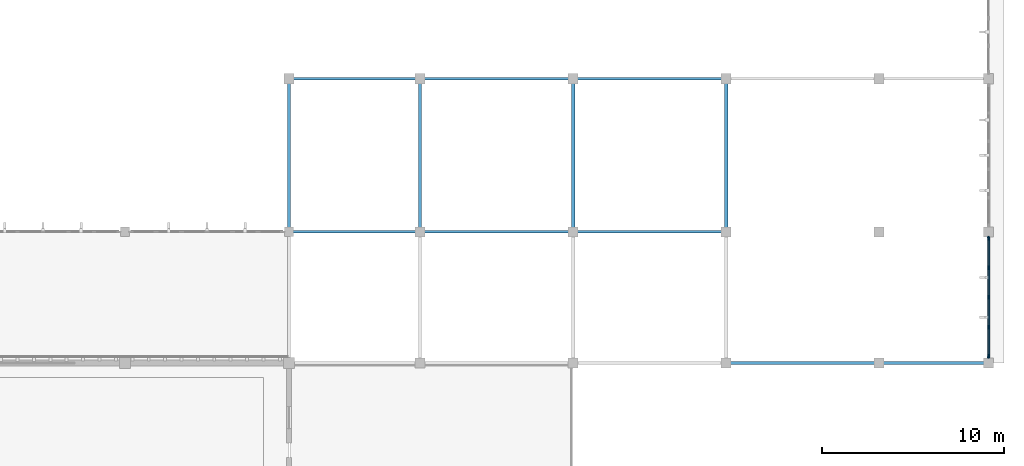
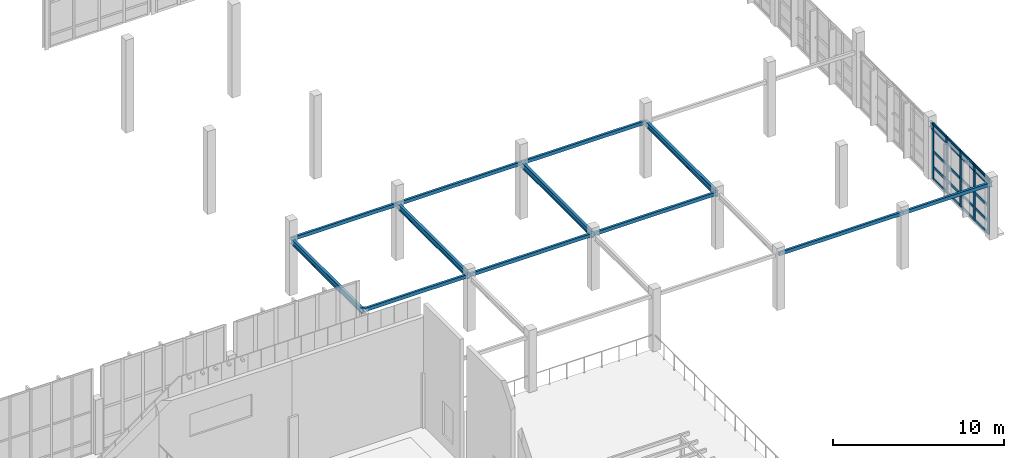
# One storey, part 28 of 67: 21 members, 13 beams, 1 element without a shape of its own.
"""IFC4 building model written with IfcOpenShell, lengths in metres."""

from ifc_helpers import new_model, si_unit, direction, frame, origin, origin_2d, place, context, subcontext, project, spatial, rectangle, hollow_rectangle, i_section, extrude, material, material_profile, profile_set, type_object, element, aggregate, save


model = new_model("IFC4")

# Units and contexts
model_context = context("Model", 3, precision=1e-05, world=origin(), true_north=direction((0.0, 1.0)))
body_context = subcontext(model_context, "Body", "Model", "MODEL_VIEW")
ifc_project = project(units=[si_unit("LENGTHUNIT", "METRE"), si_unit("AREAUNIT", "SQUARE_METRE"), si_unit("VOLUMEUNIT", "CUBIC_METRE"), si_unit("PLANEANGLEUNIT", "RADIAN"), si_unit("MASSUNIT", "GRAM", prefix="KILO")], contexts=[model_context])

# Site, building, storey
site_placement = place(None, origin())
site = spatial("IfcSite", under=ifc_project, at=site_placement, CompositionType="ELEMENT")
building_placement = place(site_placement, origin())
building = spatial("IfcBuilding", under=site, at=building_placement, Name="Tizgana Railside Sports Hall", CompositionType="ELEMENT")
storey_placement = place(building_placement, frame((0.0, 0.0, 12.0)))
storey = spatial("IfcBuildingStorey", under=building, at=storey_placement, Name="L02", CompositionType="ELEMENT", Elevation=12.0)

# Curtain wall, members
ifc_material_1 = material(Name="Anodised aluminium and glass", Category="aluminium")
curtain_wall_type = type_object("IfcCurtainWallType", Name="Unitised Curtain Wall Studio 1400", PredefinedType="NOTDEFINED", material=ifc_material_1)
curtain_wall_placement = place(storey_placement, origin())
curtain_wall = element("IfcCurtainWall", 1, at=curtain_wall_placement, inside=storey, type_object=curtain_wall_type, Name="L02 Curtain Wall CW-0058", PredefinedType="NOTDEFINED")
ifc_material_2 = material(Name="Anodised aluminium", Category="aluminium")
ifc_material_profile_1 = material_profile(ifc_material_2, rectangle(XDim=0.070068359375, YDim=0.219970703125, at=origin_2d()), Name="Mullion 70x220")
ifc_profile_set_1 = profile_set([ifc_material_profile_1], Name="Anodised aluminium")
member_type_1 = type_object("IfcMemberType", Name="Mullion 70x220", PredefinedType="MULLION", material=ifc_profile_set_1)
member_1_placement = place(storey_placement, frame((172.199951171875, 73.56494140625, 0.0), z_axis=(0.0, 0.0, 1.0), x_axis=(-1.0, 0.0, 0.0)))
member_1 = element("IfcMember", 2, at=member_1_placement, type_object=member_type_1, Name="CW-03 mullion 1", PredefinedType="MULLION", context=body_context, shape_type="SweptSolid", body=[
    extrude(rectangle(XDim=0.070068359375, YDim=0.219970703125, at=origin_2d()), origin(), (0.0, 0.0, 1.0), 4.0),
])
member_2_placement = place(storey_placement, frame((172.199951171875, 75.1650390625, 0.0), z_axis=(0.0, 0.0, 1.0), x_axis=(-1.0, 0.0, 0.0)))
member_2 = element("IfcMember", 3, at=member_2_placement, type_object=member_type_1, Name="CW-03 mullion 2", PredefinedType="MULLION", context=body_context, shape_type="SweptSolid", body=[
    extrude(rectangle(XDim=0.070068359375, YDim=0.219970703125, at=origin_2d()), origin(), (0.0, 0.0, 1.0), 4.0),
])
member_3_placement = place(storey_placement, frame((172.199951171875, 76.800048828125, 0.0), z_axis=(0.0, 0.0, 1.0), x_axis=(-1.0, 0.0, 0.0)))
member_3 = element("IfcMember", 4, at=member_3_placement, type_object=member_type_1, Name="CW-03 mullion 3", PredefinedType="MULLION", context=body_context, shape_type="SweptSolid", body=[
    extrude(rectangle(XDim=0.070068359375, YDim=0.219970703125, at=origin_2d()), origin(), (0.0, 0.0, 1.0), 4.0),
])
member_4_placement = place(storey_placement, frame((172.199951171875, 78.43505859375, 0.0), z_axis=(0.0, 0.0, 1.0), x_axis=(-1.0, 0.0, 0.0)))
member_4 = element("IfcMember", 5, at=member_4_placement, type_object=member_type_1, Name="CW-03 mullion 4", PredefinedType="MULLION", context=body_context, shape_type="SweptSolid", body=[
    extrude(rectangle(XDim=0.070068359375, YDim=0.219970703125, at=origin_2d()), origin(), (0.0, 0.0, 1.0), 4.0),
])
member_5_placement = place(storey_placement, frame((172.199951171875, 80.034912109375, 0.0), z_axis=(0.0, 0.0, 1.0), x_axis=(-1.0, 0.0, 0.0)))
member_5 = element("IfcMember", 6, at=member_5_placement, type_object=member_type_1, Name="CW-03 mullion 5", PredefinedType="MULLION", context=body_context, shape_type="SweptSolid", body=[
    extrude(rectangle(XDim=0.070068359375, YDim=0.219970703125, at=origin_2d()), origin(), (0.0, 0.0, 1.0), 4.0),
])

# Beams
ifc_material_3 = material(Name="Steel S355J2", Category="steel")
ifc_material_profile_2 = material_profile(ifc_material_3, i_section(OverallWidth=0.179931640625, OverallDepth=0.39990234375, WebThickness=0.008544921875, FlangeThickness=0.013427734375, FilletRadius=0.02099609375, at=origin_2d()), Name="IPE 400")
ifc_profile_set_2 = profile_set([ifc_material_profile_2], Name="Steel S355J2")
beam_type_1 = type_object("IfcBeamType", Name="Steel Beam IPE 400", PredefinedType="BEAM", material=ifc_profile_set_2)
for number, where, z_axis, x_axis, name in (
    (7, (133.800048828125, 80.39990234375, 3.756103515625), (0.0, 1.0, 0.0), (-1.0, 0.0, 0.0), "L02 BEM-1156"),
    (8, (141.0, 80.39990234375, 3.756103515625), (0.0, 1.0, 0.0), (-1.0, 0.0, 0.0), "L02 BEM-1160"),
    (9, (149.39990234375, 80.39990234375, 3.756103515625), (0.0, 1.0, 0.0), (-1.0, 0.0, 0.0), "L02 BEM-1164"),
    (10, (157.800048828125, 80.39990234375, 3.756103515625), (0.0, 1.0, 0.0), (-1.0, 0.0, 0.0), "L02 BEM-1168"),
):
    element("IfcBeam", number, at=place(storey_placement, frame(where, z_axis=z_axis, x_axis=x_axis)), inside=storey, type_object=beam_type_1, Name=name, PredefinedType="BEAM", context=body_context, shape_type="SweptSolid", body=[
        extrude(i_section(OverallWidth=0.179931640625, OverallDepth=0.39990234375, WebThickness=0.008544921875, FlangeThickness=0.013427734375, FilletRadius=0.02099609375, at=origin_2d()), origin(), (0.0, 0.0, 1.0), 8.400146484375),
    ])
beam_1_placement = place(storey_placement, frame((172.199951171875, 73.199951171875, 3.756103515625), z_axis=(0.0, 1.0, 0.0), x_axis=(-1.0, 0.0, 0.0)))
element("IfcBeam", 11, at=beam_1_placement, inside=storey, type_object=beam_type_1, Name="L02 BEM-1170", PredefinedType="BEAM", context=body_context, shape_type="SweptSolid", body=[
    extrude(i_section(OverallWidth=0.179931640625, OverallDepth=0.39990234375, WebThickness=0.008544921875, FlangeThickness=0.013427734375, FilletRadius=0.02099609375, at=origin_2d()), origin(), (0.0, 0.0, 1.0), 7.199951171875),
])
ifc_material_profile_3 = material_profile(ifc_material_3, hollow_rectangle(XDim=0.14990234375, YDim=0.25, WallThickness=0.010009765625, at=origin_2d()), Name="RHS 250x150x10")
ifc_profile_set_3 = profile_set([ifc_material_profile_3], Name="Steel S355J2")
beam_type_2 = type_object("IfcBeamType", Name="Steel Spandrel RHS 250x150x10", PredefinedType="SPANDREL", material=ifc_profile_set_3)
for number, where, z_axis, x_axis, name in (
    (12, (133.800048828125, 80.39990234375, 3.8310546875), (1.0, 0.0, 0.0), (0.0, 1.0, 0.0), "L02 BEM-1176"),
    (13, (133.800048828125, 88.800048828125, 3.8310546875), (1.0, 0.0, 0.0), (0.0, 1.0, 0.0), "L02 BEM-1178"),
):
    element("IfcBeam", number, at=place(storey_placement, frame(where, z_axis=z_axis, x_axis=x_axis)), inside=storey, type_object=beam_type_2, Name=name, PredefinedType="SPANDREL", context=body_context, shape_type="SweptSolid", body=[
        extrude(hollow_rectangle(XDim=0.14990234375, YDim=0.25, WallThickness=0.010009765625, at=origin_2d()), origin(), (0.0, 0.0, 1.0), 7.199951171875),
    ])
for number, where, z_axis, x_axis, name in (
    (14, (141.0, 80.39990234375, 3.8310546875), (1.0, 0.0, 0.0), (0.0, 1.0, 0.0), "L02 BEM-1182"),
    (15, (141.0, 88.800048828125, 3.8310546875), (1.0, 0.0, 0.0), (0.0, 1.0, 0.0), "L02 BEM-1184"),
):
    element("IfcBeam", number, at=place(storey_placement, frame(where, z_axis=z_axis, x_axis=x_axis)), inside=storey, type_object=beam_type_2, Name=name, PredefinedType="SPANDREL", context=body_context, shape_type="SweptSolid", body=[
        extrude(hollow_rectangle(XDim=0.14990234375, YDim=0.25, WallThickness=0.010009765625, at=origin_2d()), origin(), (0.0, 0.0, 1.0), 8.39990234375),
    ])
for number, where, z_axis, x_axis, name in (
    (16, (149.39990234375, 80.39990234375, 3.8310546875), (1.0, 0.0, 0.0), (0.0, 1.0, 0.0), "L02 BEM-1188"),
    (17, (149.39990234375, 88.800048828125, 3.8310546875), (1.0, 0.0, 0.0), (0.0, 1.0, 0.0), "L02 BEM-1190"),
):
    element("IfcBeam", number, at=place(storey_placement, frame(where, z_axis=z_axis, x_axis=x_axis)), inside=storey, type_object=beam_type_2, Name=name, PredefinedType="SPANDREL", context=body_context, shape_type="SweptSolid", body=[
        extrude(hollow_rectangle(XDim=0.14990234375, YDim=0.25, WallThickness=0.010009765625, at=origin_2d()), origin(), (0.0, 0.0, 1.0), 8.400146484375),
    ])
beam_2_placement = place(storey_placement, frame((157.800048828125, 73.199951171875, 3.8310546875), z_axis=(1.0, 0.0, 0.0), x_axis=(0.0, 1.0, 0.0)))
element("IfcBeam", 18, at=beam_2_placement, inside=storey, type_object=beam_type_2, Name="L02 BEM-1192", PredefinedType="SPANDREL", context=body_context, shape_type="SweptSolid", body=[
    extrude(hollow_rectangle(XDim=0.14990234375, YDim=0.25, WallThickness=0.010009765625, at=origin_2d()), origin(), (0.0, 0.0, 1.0), 8.39990234375),
])
beam_3_placement = place(storey_placement, frame((166.199951171875, 73.199951171875, 3.8310546875), z_axis=(1.0, 0.0, 0.0), x_axis=(0.0, 1.0, 0.0)))
element("IfcBeam", 19, at=beam_3_placement, inside=storey, type_object=beam_type_2, Name="L02 BEM-1196", PredefinedType="SPANDREL", context=body_context, shape_type="SweptSolid", body=[
    extrude(hollow_rectangle(XDim=0.14990234375, YDim=0.25, WallThickness=0.010009765625, at=origin_2d()), origin(), (0.0, 0.0, 1.0), 6.0),
])

# Member
ifc_material_profile_4 = material_profile(ifc_material_2, rectangle(XDim=0.070068359375, YDim=0.18994140625, at=origin_2d()), Name="Transom 70x190")
ifc_profile_set_4 = profile_set([ifc_material_profile_4], Name="Anodised aluminium")
member_type_2 = type_object("IfcMemberType", Name="Transom 70x190", PredefinedType="USERDEFINED", material=ifc_profile_set_4)
member_6_placement = place(storey_placement, frame((172.199951171875, 73.60009765625, 0.034912109375), z_axis=(0.0, 1.0, 0.0), x_axis=(-1.0, 0.0, 0.0)))
member_6 = element("IfcMember", 20, at=member_6_placement, type_object=member_type_2, Name="CW-03 transom 1.1", ObjectType="TRANSOM", PredefinedType="USERDEFINED", context=body_context, shape_type="SweptSolid", body=[
    extrude(rectangle(XDim=0.070068359375, YDim=0.18994140625, at=origin_2d()), origin(), (0.0, 0.0, 1.0), 1.52978515625),
])

member_7_placement = place(storey_placement, frame((172.199951171875, 73.60009765625, 0.89990234375), z_axis=(0.0, 1.0, 0.0), x_axis=(-1.0, 0.0, 0.0)))
member_7 = element("IfcMember", 21, at=member_7_placement, type_object=member_type_2, Name="CW-03 transom 1.2", ObjectType="TRANSOM", PredefinedType="USERDEFINED", context=body_context, shape_type="SweptSolid", body=[
    extrude(rectangle(XDim=0.070068359375, YDim=0.18994140625, at=origin_2d()), origin(), (0.0, 0.0, 1.0), 1.52978515625),
])

member_8_placement = place(storey_placement, frame((172.199951171875, 73.60009765625, 2.0), z_axis=(0.0, 1.0, 0.0), x_axis=(-1.0, 0.0, 0.0)))
member_8 = element("IfcMember", 22, at=member_8_placement, type_object=member_type_2, Name="CW-03 transom 1.3", ObjectType="TRANSOM", PredefinedType="USERDEFINED", context=body_context, shape_type="SweptSolid", body=[
    extrude(rectangle(XDim=0.070068359375, YDim=0.18994140625, at=origin_2d()), origin(), (0.0, 0.0, 1.0), 1.52978515625),
])

member_9_placement = place(storey_placement, frame((172.199951171875, 73.60009765625, 3.965087890625), z_axis=(0.0, 1.0, 0.0), x_axis=(-1.0, 0.0, 0.0)))
member_9 = element("IfcMember", 23, at=member_9_placement, type_object=member_type_2, Name="CW-03 transom 1.4", ObjectType="TRANSOM", PredefinedType="USERDEFINED", context=body_context, shape_type="SweptSolid", body=[
    extrude(rectangle(XDim=0.070068359375, YDim=0.18994140625, at=origin_2d()), origin(), (0.0, 0.0, 1.0), 1.52978515625),
])

member_10_placement = place(storey_placement, frame((172.199951171875, 75.199951171875, 0.034912109375), z_axis=(0.0, 1.0, 0.0), x_axis=(-1.0, 0.0, 0.0)))
member_10 = element("IfcMember", 24, at=member_10_placement, type_object=member_type_2, Name="CW-03 transom 2.1", ObjectType="TRANSOM", PredefinedType="USERDEFINED", context=body_context, shape_type="SweptSolid", body=[
    extrude(rectangle(XDim=0.070068359375, YDim=0.18994140625, at=origin_2d()), origin(), (0.0, 0.0, 1.0), 1.56494140625),
])

member_11_placement = place(storey_placement, frame((172.199951171875, 75.199951171875, 0.89990234375), z_axis=(0.0, 1.0, 0.0), x_axis=(-1.0, 0.0, 0.0)))
member_11 = element("IfcMember", 25, at=member_11_placement, type_object=member_type_2, Name="CW-03 transom 2.2", ObjectType="TRANSOM", PredefinedType="USERDEFINED", context=body_context, shape_type="SweptSolid", body=[
    extrude(rectangle(XDim=0.070068359375, YDim=0.18994140625, at=origin_2d()), origin(), (0.0, 0.0, 1.0), 1.56494140625),
])

member_12_placement = place(storey_placement, frame((172.199951171875, 75.199951171875, 2.0), z_axis=(0.0, 1.0, 0.0), x_axis=(-1.0, 0.0, 0.0)))
member_12 = element("IfcMember", 26, at=member_12_placement, type_object=member_type_2, Name="CW-03 transom 2.3", ObjectType="TRANSOM", PredefinedType="USERDEFINED", context=body_context, shape_type="SweptSolid", body=[
    extrude(rectangle(XDim=0.070068359375, YDim=0.18994140625, at=origin_2d()), origin(), (0.0, 0.0, 1.0), 1.56494140625),
])

member_13_placement = place(storey_placement, frame((172.199951171875, 75.199951171875, 3.965087890625), z_axis=(0.0, 1.0, 0.0), x_axis=(-1.0, 0.0, 0.0)))
member_13 = element("IfcMember", 27, at=member_13_placement, type_object=member_type_2, Name="CW-03 transom 2.4", ObjectType="TRANSOM", PredefinedType="USERDEFINED", context=body_context, shape_type="SweptSolid", body=[
    extrude(rectangle(XDim=0.070068359375, YDim=0.18994140625, at=origin_2d()), origin(), (0.0, 0.0, 1.0), 1.56494140625),
])

member_14_placement = place(storey_placement, frame((172.199951171875, 76.8349609375, 0.034912109375), z_axis=(0.0, 1.0, 0.0), x_axis=(-1.0, 0.0, 0.0)))
member_14 = element("IfcMember", 28, at=member_14_placement, type_object=member_type_2, Name="CW-03 transom 3.1", ObjectType="TRANSOM", PredefinedType="USERDEFINED", context=body_context, shape_type="SweptSolid", body=[
    extrude(rectangle(XDim=0.070068359375, YDim=0.18994140625, at=origin_2d()), origin(), (0.0, 0.0, 1.0), 1.56494140625),
])

member_15_placement = place(storey_placement, frame((172.199951171875, 76.8349609375, 0.89990234375), z_axis=(0.0, 1.0, 0.0), x_axis=(-1.0, 0.0, 0.0)))
member_15 = element("IfcMember", 29, at=member_15_placement, type_object=member_type_2, Name="CW-03 transom 3.2", ObjectType="TRANSOM", PredefinedType="USERDEFINED", context=body_context, shape_type="SweptSolid", body=[
    extrude(rectangle(XDim=0.070068359375, YDim=0.18994140625, at=origin_2d()), origin(), (0.0, 0.0, 1.0), 1.56494140625),
])

member_16_placement = place(storey_placement, frame((172.199951171875, 76.8349609375, 2.0), z_axis=(0.0, 1.0, 0.0), x_axis=(-1.0, 0.0, 0.0)))
member_16 = element("IfcMember", 30, at=member_16_placement, type_object=member_type_2, Name="CW-03 transom 3.3", ObjectType="TRANSOM", PredefinedType="USERDEFINED", context=body_context, shape_type="SweptSolid", body=[
    extrude(rectangle(XDim=0.070068359375, YDim=0.18994140625, at=origin_2d()), origin(), (0.0, 0.0, 1.0), 1.56494140625),
])

member_17_placement = place(storey_placement, frame((172.199951171875, 76.8349609375, 3.965087890625), z_axis=(0.0, 1.0, 0.0), x_axis=(-1.0, 0.0, 0.0)))
member_17 = element("IfcMember", 31, at=member_17_placement, type_object=member_type_2, Name="CW-03 transom 3.4", ObjectType="TRANSOM", PredefinedType="USERDEFINED", context=body_context, shape_type="SweptSolid", body=[
    extrude(rectangle(XDim=0.070068359375, YDim=0.18994140625, at=origin_2d()), origin(), (0.0, 0.0, 1.0), 1.56494140625),
])

member_18_placement = place(storey_placement, frame((172.199951171875, 78.469970703125, 0.034912109375), z_axis=(0.0, 1.0, 0.0), x_axis=(-1.0, 0.0, 0.0)))
member_18 = element("IfcMember", 32, at=member_18_placement, type_object=member_type_2, Name="CW-03 transom 4.1", ObjectType="TRANSOM", PredefinedType="USERDEFINED", context=body_context, shape_type="SweptSolid", body=[
    extrude(rectangle(XDim=0.070068359375, YDim=0.18994140625, at=origin_2d()), origin(), (0.0, 0.0, 1.0), 1.530029296875),
])

member_19_placement = place(storey_placement, frame((172.199951171875, 78.469970703125, 0.89990234375), z_axis=(0.0, 1.0, 0.0), x_axis=(-1.0, 0.0, 0.0)))
member_19 = element("IfcMember", 33, at=member_19_placement, type_object=member_type_2, Name="CW-03 transom 4.2", ObjectType="TRANSOM", PredefinedType="USERDEFINED", context=body_context, shape_type="SweptSolid", body=[
    extrude(rectangle(XDim=0.070068359375, YDim=0.18994140625, at=origin_2d()), origin(), (0.0, 0.0, 1.0), 1.530029296875),
])

member_20_placement = place(storey_placement, frame((172.199951171875, 78.469970703125, 2.0), z_axis=(0.0, 1.0, 0.0), x_axis=(-1.0, 0.0, 0.0)))
member_20 = element("IfcMember", 34, at=member_20_placement, type_object=member_type_2, Name="CW-03 transom 4.3", ObjectType="TRANSOM", PredefinedType="USERDEFINED", context=body_context, shape_type="SweptSolid", body=[
    extrude(rectangle(XDim=0.070068359375, YDim=0.18994140625, at=origin_2d()), origin(), (0.0, 0.0, 1.0), 1.530029296875),
])

member_21_placement = place(storey_placement, frame((172.199951171875, 78.469970703125, 3.965087890625), z_axis=(0.0, 1.0, 0.0), x_axis=(-1.0, 0.0, 0.0)))
member_21 = element("IfcMember", 35, at=member_21_placement, type_object=member_type_2, Name="CW-03 transom 4.4", ObjectType="TRANSOM", PredefinedType="USERDEFINED", context=body_context, shape_type="SweptSolid", body=[
    extrude(rectangle(XDim=0.070068359375, YDim=0.18994140625, at=origin_2d()), origin(), (0.0, 0.0, 1.0), 1.530029296875),
])

aggregate(curtain_wall, [member_1, member_2, member_3, member_4, member_5, member_6, member_7, member_8, member_9, member_10, member_11, member_12, member_13, member_14, member_15, member_16, member_17, member_18, member_19, member_20, member_21])

save(model, "model.ifc")
